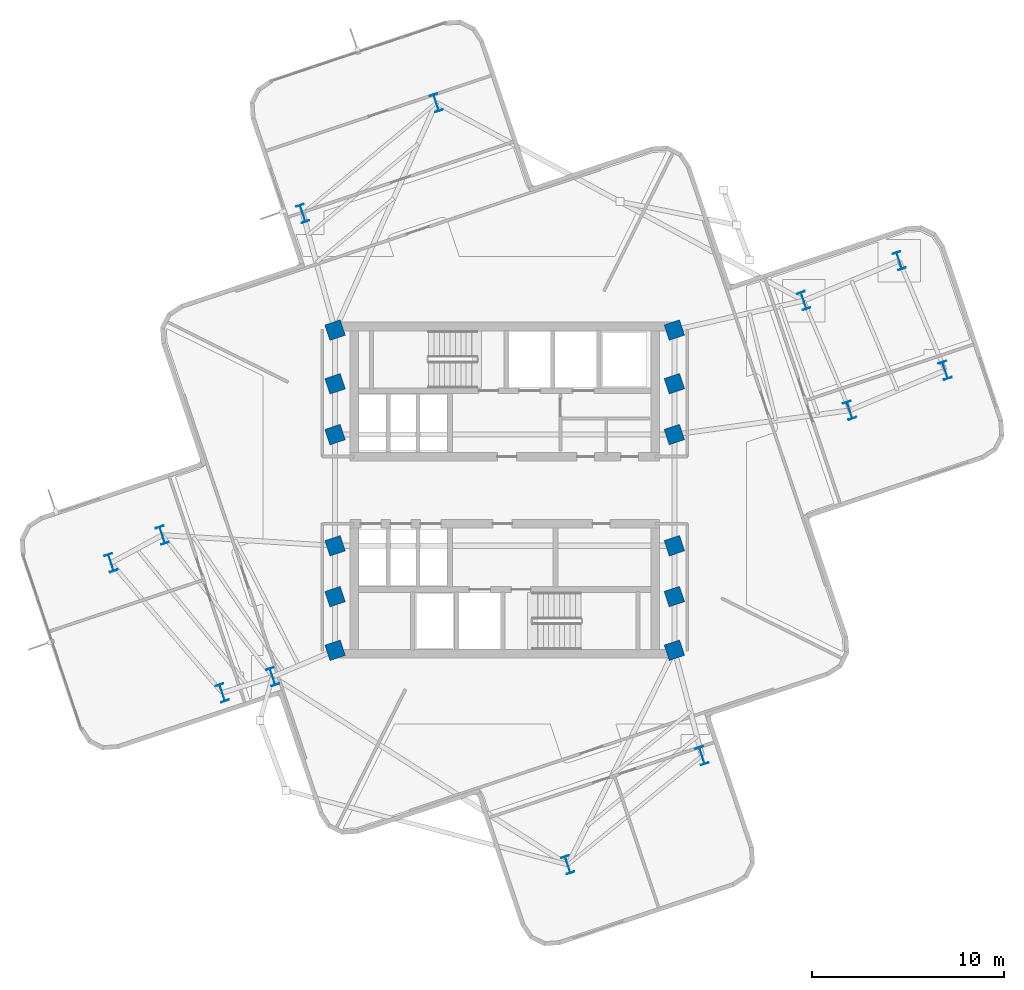
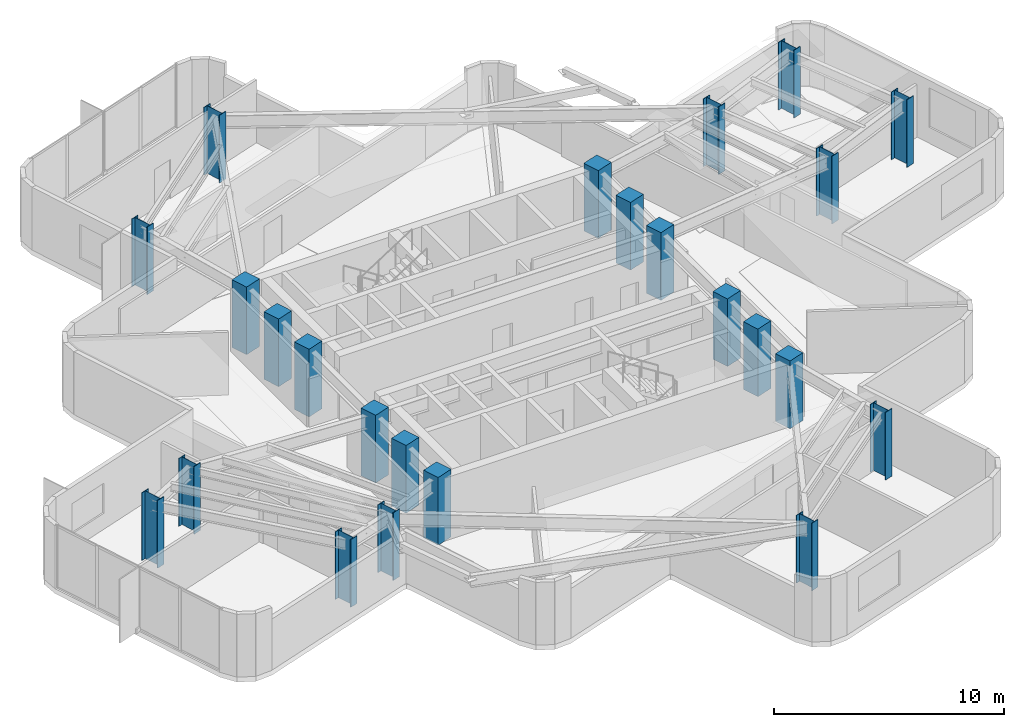
# One storey, part 1 of 12: 24 columns.
"""IFC4 building model written with IfcOpenShell, lengths in metres."""

from ifc_helpers import new_model, si_unit, direction, frame, origin, origin_2d, place, context, subcontext, project, spatial, rectangle, i_section, extrude, material, material_profile, profile_set, type_object, element, save


model = new_model("IFC4")

# Units and contexts
model_context = context("Model", 3, precision=1e-05, world=origin(), true_north=direction((0.0, 1.0)))
body_context = subcontext(model_context, "Body", "Model", "MODEL_VIEW")
ifc_project = project(units=[si_unit("LENGTHUNIT", "METRE"), si_unit("AREAUNIT", "SQUARE_METRE"), si_unit("VOLUMEUNIT", "CUBIC_METRE"), si_unit("PLANEANGLEUNIT", "RADIAN"), si_unit("MASSUNIT", "GRAM", prefix="KILO")], contexts=[model_context])

# Site, building, storey
site_placement = place(None, origin())
site = spatial("IfcSite", under=ifc_project, at=site_placement, CompositionType="ELEMENT")
building_placement = place(site_placement, origin())
building = spatial("IfcBuilding", under=site, at=building_placement, Name="Solmarez Civic Tower", CompositionType="ELEMENT")
storey_placement = place(building_placement, frame((0.0, 0.0, 163.080078125)))
storey = spatial("IfcBuildingStorey", under=building, at=storey_placement, Name="L43", CompositionType="ELEMENT", Elevation=163.080078125)

# Columns
ifc_material_1 = material(Name="Concrete C50/60", Category="concrete")
ifc_material_profile_1 = material_profile(ifc_material_1, rectangle(XDim=0.85009765625, YDim=0.85009765625, at=origin_2d()), Name="RC850X850")
ifc_profile_set_1 = profile_set([ifc_material_profile_1], Name="Concrete C50/60")
column_type_1 = type_object("IfcColumnType", Name="COL-RC850", PredefinedType="COLUMN", material=ifc_profile_set_1)
for number, where, z_axis, x_axis, name in (
    (1, (-8.85009765625, -5.550048828125, 0.0), (0.0, 0.0, 1.0), (0.948323655206, 0.317304656405, 0.0), "L43 Structural Column HC1"),
    (2, (-8.85009765625, -2.89990234375, 0.0), (0.0, 0.0, 1.0), (0.948323655206, 0.317304656405, 0.0), "L43 Structural Column HC2"),
    (3, (-8.85009765625, 2.89990234375, 0.0), (0.0, 0.0, 1.0), (0.948323655206, 0.317304656405, 0.0), "L43 Structural Column HC3"),
    (4, (-8.85009765625, 5.550048828125, 0.0), (0.0, 0.0, 1.0), (0.948323655206, 0.317304656405, 0.0), "L43 Structural Column HC4"),
    (5, (8.85009765625, -5.550048828125, 0.0), (0.0, 0.0, 1.0), (0.948323655206, 0.317304656405, 0.0), "L43 Structural Column HC5"),
    (6, (8.85009765625, -2.89990234375, 0.0), (0.0, 0.0, 1.0), (0.948323655206, 0.317304656405, 0.0), "L43 Structural Column HC6"),
    (7, (8.85009765625, 2.89990234375, 0.0), (0.0, 0.0, 1.0), (0.948323655206, 0.317304656405, 0.0), "L43 Structural Column HC7"),
    (8, (8.85009765625, 5.550048828125, 0.0), (0.0, 0.0, 1.0), (0.948323655206, 0.317304656405, 0.0), "L43 Structural Column HC8"),
    (9, (-8.85009765625, 8.35009765625, 0.0), (0.0, 0.0, 1.0), (0.948323655206, 0.317304656405, 0.0), "L43 Structural Column HC9"),
    (10, (8.85009765625, -8.35009765625, 0.0), (0.0, 0.0, 1.0), (0.948323655206, 0.317304656405, 0.0), "L43 Structural Column HC10"),
    (11, (8.85009765625, 8.35009765625, 0.0), (0.0, 0.0, 1.0), (0.948323655206, 0.317304656405, 0.0), "L43 Structural Column HC11"),
    (12, (-8.85009765625, -8.35009765625, 0.0), (0.0, 0.0, 1.0), (0.948323655206, 0.317304656405, 0.0), "L43 Structural Column HC12"),
):
    element("IfcColumn", number, at=place(storey_placement, frame(where, z_axis=z_axis, x_axis=x_axis)), inside=storey, type_object=column_type_1, Name=name, PredefinedType="COLUMN", context=body_context, shape_type="SweptSolid", body=[
        extrude(rectangle(XDim=0.85009765625, YDim=0.85009765625, at=origin_2d()), origin(), (0.0, 0.0, 1.0), 3.599853515625),
    ])
ifc_material_2 = material(Name="Steel S355", Category="steel")
ifc_material_profile_2 = material_profile(ifc_material_2, i_section(OverallWidth=0.41796875, OverallDepth=0.927001953125, WebThickness=0.019287109375, FlangeThickness=0.031982421875, at=origin_2d()), Name="W36X231")
ifc_profile_set_2 = profile_set([ifc_material_profile_2], Name="Steel S355")
column_type_2 = type_object("IfcColumnType", Name="COL-W36X231", PredefinedType="COLUMN", material=ifc_profile_set_2)
for number, where, z_axis, x_axis, name in (
    (13, (17.987060546875, 4.1640625, 0.0), (0.0, 0.0, 1.0), (0.948323655206, 0.317304656405, 0.0), "L43 Structural Column EA11"),
    (14, (15.593994140625, 9.883056640625, 0.0), (0.0, 0.0, 1.0), (0.948323655206, 0.317304656405, 0.0), "L43 Structural Column EA12"),
    (15, (22.968017578125, 6.248046875, 0.0), (0.0, 0.0, 1.0), (0.948323655206, 0.317304656405, 0.0), "L43 Structural Column EA21"),
    (16, (20.575927734375, 11.967041015625, 0.0), (0.0, 0.0, 1.0), (0.948323655206, 0.317304656405, 0.0), "L43 Structural Column EA22"),
    (17, (-3.570068359375, 20.20703125, 0.0), (0.0, 0.0, 1.0), (0.948323655206, 0.317304656405, 0.0), "L43 Structural Column NA11"),
    (18, (-10.532958984375, 14.43310546875, 0.0), (0.0, 0.0, 1.0), (0.948323655206, 0.317304656405, 0.0), "L43 Structural Column NA12"),
    (19, (-17.85791015625, -2.345947265625, 0.0), (0.0, 0.0, 1.0), (0.948323655206, 0.317304656405, 0.0), "L43 Structural Column WA11"),
    (20, (-12.10595703125, -9.73095703125, 0.0), (0.0, 0.0, 1.0), (0.948323655206, 0.317304656405, 0.0), "L43 Structural Column WA12"),
    (21, (-20.534912109375, -3.7880859375, 0.0), (0.0, 0.0, 1.0), (0.948323655206, 0.317304656405, 0.0), "L43 Structural Column WA21"),
    (22, (-14.73095703125, -10.572998046875, 0.0), (0.0, 0.0, 1.0), (0.948323655206, 0.317304656405, 0.0), "L43 Structural Column WA22"),
    (23, (3.2900390625, -19.535888671875, 0.0), (0.0, 0.0, 1.0), (0.948323655206, 0.317304656405, 0.0), "L43 Structural Column SA11"),
    (24, (10.2900390625, -13.85009765625, 0.0), (0.0, 0.0, 1.0), (0.948323655206, 0.317304656405, 0.0), "L43 Structural Column SA12"),
):
    element("IfcColumn", number, at=place(storey_placement, frame(where, z_axis=z_axis, x_axis=x_axis)), inside=storey, type_object=column_type_2, Name=name, PredefinedType="COLUMN", context=body_context, shape_type="SweptSolid", body=[
        extrude(i_section(OverallWidth=0.41796875, OverallDepth=0.927001953125, WebThickness=0.019287109375, FlangeThickness=0.031982421875, at=origin_2d()), origin(), (0.0, 0.0, 1.0), 3.599853515625),
    ])

save(model, "model.ifc")
